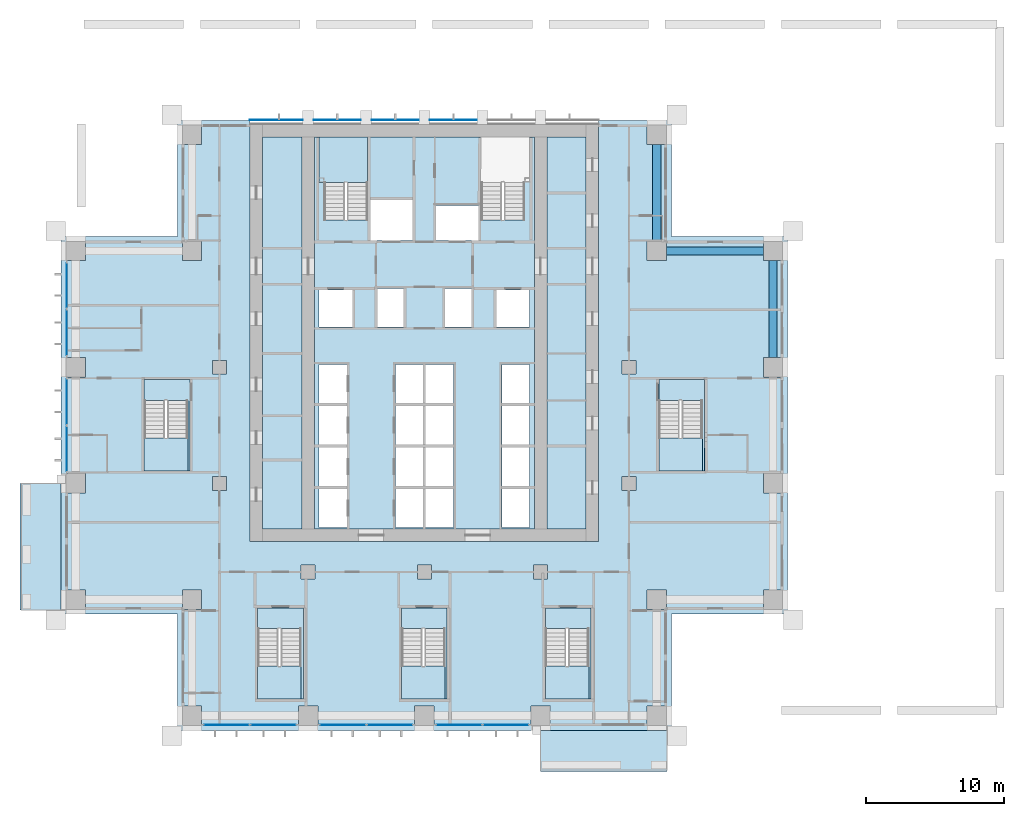
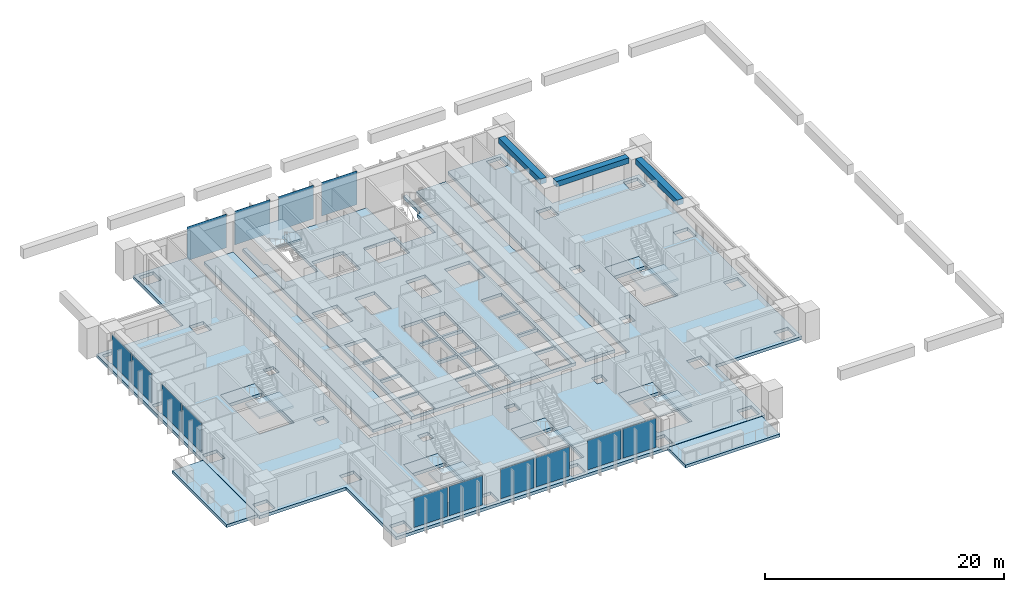
# One storey, part 6 of 18: 17 slabs, 14 plates, 3 beams, 11 elements without a shape of their own.
"""IFC4 building model written with IfcOpenShell, lengths in metres."""

from ifc_helpers import new_model, si_unit, direction, frame, origin, origin_2d, place, context, subcontext, project, spatial, polyline, rectangle, outline, extrude, material, layer, layer_set, material_profile, profile_set, type_object, element, aggregate, save


model = new_model("IFC4")

# Units and contexts
model_context = context("Model", 3, precision=1e-05, world=origin(), true_north=direction((0.0, 1.0)))
body_context = subcontext(model_context, "Body", "Model", "MODEL_VIEW")
ifc_project = project(units=[si_unit("LENGTHUNIT", "METRE"), si_unit("AREAUNIT", "SQUARE_METRE"), si_unit("VOLUMEUNIT", "CUBIC_METRE"), si_unit("PLANEANGLEUNIT", "RADIAN"), si_unit("MASSUNIT", "GRAM", prefix="KILO")], contexts=[model_context])

# Site, building, storey
site_placement = place(None, origin())
site = spatial("IfcSite", under=ifc_project, at=site_placement, CompositionType="ELEMENT")
building_placement = place(site_placement, origin())
building = spatial("IfcBuilding", under=site, at=building_placement, Name="Vermilion Ogive Tower", CompositionType="ELEMENT")
storey_placement = place(building_placement, frame((0.0, 0.0, 34.5)))
storey = spatial("IfcBuildingStorey", under=building, at=storey_placement, Name="L06", CompositionType="ELEMENT", Elevation=34.5)

# Beams
ifc_material_1 = material(Name="Concrete B45", Category="concrete")
ifc_material_profile = material_profile(ifc_material_1, rectangle(XDim=0.60009765625, YDim=0.550048828125, at=origin_2d()), Name="600 x 550")
ifc_profile_set = profile_set([ifc_material_profile], Name="Concrete B45")
beam_type = type_object("IfcBeamType", Name="Edge beam 600 x 550 B45", PredefinedType="BEAM", material=ifc_profile_set)
for number, where, z_axis, x_axis, name in (
    (1, (25.199951171875, 4.89990234375, 2.85498046875), (0.0, 1.0, 0.0), (-1.0, 0.0, 0.0), "L06-EB-9"),
    (2, (24.5, 12.60009765625, 2.85498046875), (-1.0, 0.0, 0.0), (0.0, -1.0, 0.0), "L06-EB-10"),
    (3, (16.800048828125, 13.300048828125, 2.85498046875), (0.0, 1.0, 0.0), (-1.0, 0.0, 0.0), "L06-EB-11"),
):
    element("IfcBeam", number, at=place(storey_placement, frame(where, z_axis=z_axis, x_axis=x_axis)), inside=storey, type_object=beam_type, Name=name, PredefinedType="BEAM", context=body_context, shape_type="SweptSolid", body=[
        extrude(rectangle(XDim=0.60009765625, YDim=0.550048828125, at=origin_2d()), origin(), (0.0, 0.0, 1.0), 7.0),
    ])

# Slabs
ifc_material_2 = material(Name="Concrete B40", Category="concrete")
ifc_layer_1 = layer(ifc_material_2, 0.300048828125)
ifc_layer_set_1 = layer_set([ifc_layer_1], Name="Balcony slab")
slab_type_1 = type_object("IfcSlabType", Name="Balcony slab", PredefinedType="FLOOR", material=ifc_layer_set_1)
slab_1_placement = place(storey_placement, frame((0.0, 0.0, -0.340087890625)))
element("IfcSlab", 4, at=slab_1_placement, inside=storey, type_object=slab_type_1, Name="Balcony slab S04", PredefinedType="FLOOR", context=body_context, shape_type="SweptSolid", body=[
    extrude(outline(polyline([(8.39990234375, -25.030029296875), (17.550048828125, -25.030029296875), (17.550048828125, -22.050048828125), (8.39990234375, -22.050048828125), (8.39990234375, -25.030029296875)])), origin(), (0.0, 0.0, 1.0), 0.300048828125),
])
slab_2_placement = place(storey_placement, frame((0.0, 0.0, -0.340087890625)))
element("IfcSlab", 5, at=slab_2_placement, inside=storey, type_object=slab_type_1, Name="Balcony slab W03", PredefinedType="FLOOR", context=body_context, shape_type="SweptSolid", body=[
    extrude(outline(polyline([(-29.22998046875, -4.199951171875), (-29.22998046875, -13.35009765625), (-26.25, -13.35009765625), (-26.25, -4.199951171875), (-29.22998046875, -4.199951171875)])), origin(), (0.0, 0.0, 1.0), 0.300048828125),
])

# Curtain wall, plates
ifc_material_3 = material(Name="Low-iron laminated glazing in aluminium frame", Category="aluminium")
curtain_wall_type = type_object("IfcCurtainWallType", Name="Curtain wall CW7", PredefinedType="NOTDEFINED", material=ifc_material_3)
curtain_wall_1_placement = place(storey_placement, origin())
curtain_wall_1 = element("IfcCurtainWall", 6, at=curtain_wall_1_placement, inside=storey, type_object=curtain_wall_type, Name="Glazed skin S1", PredefinedType="NOTDEFINED")
ifc_material_4 = material(Name="Low-iron laminated glazing in aluminium frame", Category="aluminium")
ifc_layer_2 = layer(ifc_material_4, 0.031982421875)
ifc_layer_set_2 = layer_set([ifc_layer_2], Name="CW7 glazing panel 32")
plate_type_1 = type_object("IfcPlateType", Name="CW7 glazing panel 32", PredefinedType="CURTAIN_PANEL", material=ifc_layer_set_2)
plate_1_placement = place(storey_placement, frame((-14.304931640625, -21.64990234375, 0.06005859375), z_axis=(0.0, 0.0, 1.0), x_axis=(1.0, 0.0, 0.0)))
plate_1 = element("IfcPlate", 7, at=plate_1_placement, type_object=plate_type_1, Name="CW7-S1 panel 1.1", PredefinedType="CURTAIN_PANEL", context=body_context, shape_type="SweptSolid", body=[
    extrude(rectangle(XDim=3.22998046875, YDim=0.031982421875, at=origin_2d()), origin(), (0.0, 0.0, 1.0), 3.010009765625),
])
plate_2_placement = place(storey_placement, frame((-10.89501953125, -21.64990234375, 0.06005859375), z_axis=(0.0, 0.0, 1.0), x_axis=(1.0, 0.0, 0.0)))
plate_2 = element("IfcPlate", 8, at=plate_2_placement, type_object=plate_type_1, Name="CW7-S1 panel 2.1", PredefinedType="CURTAIN_PANEL", context=body_context, shape_type="SweptSolid", body=[
    extrude(rectangle(XDim=3.22998046875, YDim=0.031982421875, at=origin_2d()), origin(), (0.0, 0.0, 1.0), 3.010009765625),
])
aggregate(curtain_wall_1, [plate_1, plate_2])

curtain_wall_2_placement = place(storey_placement, origin())
curtain_wall_2 = element("IfcCurtainWall", 9, at=curtain_wall_2_placement, inside=storey, type_object=curtain_wall_type, Name="Glazed skin S2", PredefinedType="NOTDEFINED")
plate_3_placement = place(storey_placement, frame((-5.905029296875, -21.64990234375, 0.06005859375), z_axis=(0.0, 0.0, 1.0), x_axis=(1.0, 0.0, 0.0)))
plate_3 = element("IfcPlate", 10, at=plate_3_placement, type_object=plate_type_1, Name="CW7-S2 panel 1.1", PredefinedType="CURTAIN_PANEL", context=body_context, shape_type="SweptSolid", body=[
    extrude(rectangle(XDim=3.22998046875, YDim=0.031982421875, at=origin_2d()), origin(), (0.0, 0.0, 1.0), 3.010009765625),
])
plate_4_placement = place(storey_placement, frame((-2.4951171875, -21.64990234375, 0.06005859375), z_axis=(0.0, 0.0, 1.0), x_axis=(1.0, 0.0, 0.0)))
plate_4 = element("IfcPlate", 11, at=plate_4_placement, type_object=plate_type_1, Name="CW7-S2 panel 2.1", PredefinedType="CURTAIN_PANEL", context=body_context, shape_type="SweptSolid", body=[
    extrude(rectangle(XDim=3.22998046875, YDim=0.031982421875, at=origin_2d()), origin(), (0.0, 0.0, 1.0), 3.010009765625),
])
aggregate(curtain_wall_2, [plate_3, plate_4])

curtain_wall_3_placement = place(storey_placement, origin())
curtain_wall_3 = element("IfcCurtainWall", 12, at=curtain_wall_3_placement, inside=storey, type_object=curtain_wall_type, Name="Glazed skin S3", PredefinedType="NOTDEFINED")
plate_5_placement = place(storey_placement, frame((2.4951171875, -21.64990234375, 0.06005859375), z_axis=(0.0, 0.0, 1.0), x_axis=(1.0, 0.0, 0.0)))
plate_5 = element("IfcPlate", 13, at=plate_5_placement, type_object=plate_type_1, Name="CW7-S3 panel 1.1", PredefinedType="CURTAIN_PANEL", context=body_context, shape_type="SweptSolid", body=[
    extrude(rectangle(XDim=3.22998046875, YDim=0.031982421875, at=origin_2d()), origin(), (0.0, 0.0, 1.0), 3.010009765625),
])
plate_6_placement = place(storey_placement, frame((5.905029296875, -21.64990234375, 0.06005859375), z_axis=(0.0, 0.0, 1.0), x_axis=(1.0, 0.0, 0.0)))
plate_6 = element("IfcPlate", 14, at=plate_6_placement, type_object=plate_type_1, Name="CW7-S3 panel 2.1", PredefinedType="CURTAIN_PANEL", context=body_context, shape_type="SweptSolid", body=[
    extrude(rectangle(XDim=3.22998046875, YDim=0.031982421875, at=origin_2d()), origin(), (0.0, 0.0, 1.0), 3.010009765625),
])
aggregate(curtain_wall_3, [plate_5, plate_6])

curtain_wall_4_placement = place(storey_placement, origin())
curtain_wall_4 = element("IfcCurtainWall", 15, at=curtain_wall_4_placement, inside=storey, type_object=curtain_wall_type, Name="Glazed skin W1", PredefinedType="NOTDEFINED")
plate_7_placement = place(storey_placement, frame((-25.85009765625, 10.10498046875, 0.06005859375), z_axis=(0.0, 0.0, 1.0), x_axis=(0.0, -1.0, 0.0)))
plate_7 = element("IfcPlate", 16, at=plate_7_placement, type_object=plate_type_1, Name="CW7-W1 panel 1.1", PredefinedType="CURTAIN_PANEL", context=body_context, shape_type="SweptSolid", body=[
    extrude(rectangle(XDim=3.22998046875, YDim=0.031982421875, at=origin_2d()), origin(), (0.0, 0.0, 1.0), 3.010009765625),
])
plate_8_placement = place(storey_placement, frame((-25.85009765625, 6.695068359375, 0.06005859375), z_axis=(0.0, 0.0, 1.0), x_axis=(0.0, -1.0, 0.0)))
plate_8 = element("IfcPlate", 17, at=plate_8_placement, type_object=plate_type_1, Name="CW7-W1 panel 2.1", PredefinedType="CURTAIN_PANEL", context=body_context, shape_type="SweptSolid", body=[
    extrude(rectangle(XDim=3.22998046875, YDim=0.031982421875, at=origin_2d()), origin(), (0.0, 0.0, 1.0), 3.010009765625),
])
aggregate(curtain_wall_4, [plate_7, plate_8])

curtain_wall_5_placement = place(storey_placement, origin())
curtain_wall_5 = element("IfcCurtainWall", 18, at=curtain_wall_5_placement, inside=storey, type_object=curtain_wall_type, Name="Glazed skin W2", PredefinedType="NOTDEFINED")
plate_9_placement = place(storey_placement, frame((-25.85009765625, 1.705078125, 0.06005859375), z_axis=(0.0, 0.0, 1.0), x_axis=(0.0, -1.0, 0.0)))
plate_9 = element("IfcPlate", 19, at=plate_9_placement, type_object=plate_type_1, Name="CW7-W2 panel 1.1", PredefinedType="CURTAIN_PANEL", context=body_context, shape_type="SweptSolid", body=[
    extrude(rectangle(XDim=3.22998046875, YDim=0.031982421875, at=origin_2d()), origin(), (0.0, 0.0, 1.0), 3.010009765625),
])
plate_10_placement = place(storey_placement, frame((-25.85009765625, -1.705078125, 0.06005859375), z_axis=(0.0, 0.0, 1.0), x_axis=(0.0, -1.0, 0.0)))
plate_10 = element("IfcPlate", 20, at=plate_10_placement, type_object=plate_type_1, Name="CW7-W2 panel 2.1", PredefinedType="CURTAIN_PANEL", context=body_context, shape_type="SweptSolid", body=[
    extrude(rectangle(XDim=3.22998046875, YDim=0.031982421875, at=origin_2d()), origin(), (0.0, 0.0, 1.0), 3.010009765625),
])
aggregate(curtain_wall_5, [plate_9, plate_10])

# Slabs
ifc_material_5 = material(Name="Concrete B40", Category="concrete")
ifc_layer_3 = layer(ifc_material_5, 0.320068359375)
ifc_layer_set_3 = layer_set([ifc_layer_3], Name="Core floor slab 320 B40")
slab_type_2 = type_object("IfcSlabType", Name="Core floor slab 320 B40", PredefinedType="FLOOR", material=ifc_layer_set_3)
slab_3_placement = place(storey_placement, frame((0.0, 0.0, -0.320068359375)))
element("IfcSlab", 21, at=slab_3_placement, inside=storey, type_object=slab_type_2, Name="L06-CK-FS1", PredefinedType="FLOOR", context=body_context, shape_type="SweptSolid", body=[
    extrude(outline(polyline([(-8.85400390625, -7.49609375), (-11.696044921875, -7.49609375), (-11.696044921875, 20.845947265625), (-8.85400390625, 20.845947265625), (-8.85400390625, -7.49609375)])), origin(), (0.0, 0.0, 1.0), 0.320068359375),
])
slab_4_placement = place(storey_placement, frame((0.0, 0.0, -0.320068359375)))
element("IfcSlab", 22, at=slab_4_placement, inside=storey, type_object=slab_type_2, Name="L06-CK-FS2", PredefinedType="FLOOR", context=body_context, shape_type="SweptSolid", body=[
    extrude(outline(polyline([(5.75, 14.85009765625), (5.60009765625, 14.85009765625), (5.60009765625, 14.85205078125), (4.10009765625, 14.85205078125), (4.10009765625, 17.929931640625), (4.074951171875, 17.929931640625), (4.074951171875, 20.845947265625), (-4.10009765625, 20.845947265625), (-4.10009765625, 14.85205078125), (-5.60009765625, 14.85205078125), (-5.60009765625, 14.85009765625), (-5.75, 14.85009765625), (-5.75, 14.85205078125), (-7.25, 14.85205078125), (-7.25, 17.929931640625), (-7.60009765625, 17.929931640625), (-7.60009765625, 20.845947265625), (-7.946044921875, 20.845947265625), (-7.946044921875, -7.49609375), (7.946044921875, -7.49609375), (7.946044921875, 20.845947265625), (7.60009765625, 20.845947265625), (7.60009765625, 17.929931640625), (7.25, 17.929931640625), (7.25, 14.85205078125), (5.75, 14.85205078125), (5.75, 14.85009765625)]), holes=[polyline([(-7.60009765625, -4.60009765625), (-5.60009765625, -4.60009765625), (-5.60009765625, -7.39990234375), (-7.60009765625, -7.39990234375), (-7.60009765625, -4.60009765625)]), polyline([(-2.10009765625, -4.60009765625), (-0.10009765625, -4.60009765625), (-0.10009765625, -7.39990234375), (-2.10009765625, -7.39990234375), (-2.10009765625, -4.60009765625)]), polyline([(-7.60009765625, -1.60009765625), (-5.60009765625, -1.60009765625), (-5.60009765625, -4.39990234375), (-7.60009765625, -4.39990234375), (-7.60009765625, -1.60009765625)]), polyline([(-2.10009765625, -1.60009765625), (-0.10009765625, -1.60009765625), (-0.10009765625, -4.39990234375), (-2.10009765625, -4.39990234375), (-2.10009765625, -1.60009765625)]), polyline([(-7.60009765625, -1.39990234375), (-7.60009765625, 1.39990234375), (-5.60009765625, 1.39990234375), (-5.60009765625, -1.39990234375), (-7.60009765625, -1.39990234375)]), polyline([(-2.10009765625, 1.39990234375), (-0.10009765625, 1.39990234375), (-0.10009765625, -1.39990234375), (-2.10009765625, -1.39990234375), (-2.10009765625, 1.39990234375)]), polyline([(-7.60009765625, 4.39990234375), (-5.60009765625, 4.39990234375), (-5.60009765625, 1.60009765625), (-7.60009765625, 1.60009765625), (-7.60009765625, 4.39990234375)]), polyline([(-2.10009765625, 4.39990234375), (-0.10009765625, 4.39990234375), (-0.10009765625, 1.60009765625), (-2.10009765625, 1.60009765625), (-2.10009765625, 4.39990234375)]), polyline([(-7.60009765625, 9.800048828125), (-5.199951171875, 9.800048828125), (-5.199951171875, 7.10009765625), (-7.60009765625, 7.10009765625), (-7.60009765625, 9.800048828125)]), polyline([(-3.39990234375, 9.89990234375), (-1.5, 9.89990234375), (-1.5, 7.10009765625), (-3.39990234375, 7.10009765625), (-3.39990234375, 9.89990234375)]), polyline([(-3.89990234375, 16.300048828125), (-0.85009765625, 16.300048828125), (-0.85009765625, 13.35009765625), (-3.89990234375, 13.35009765625), (-3.89990234375, 16.300048828125)]), polyline([(0.10009765625, -4.60009765625), (2.10009765625, -4.60009765625), (2.10009765625, -7.39990234375), (0.10009765625, -7.39990234375), (0.10009765625, -4.60009765625)]), polyline([(5.60009765625, -4.60009765625), (7.60009765625, -4.60009765625), (7.60009765625, -7.39990234375), (5.60009765625, -7.39990234375), (5.60009765625, -4.60009765625)]), polyline([(0.10009765625, -1.60009765625), (2.10009765625, -1.60009765625), (2.10009765625, -4.39990234375), (0.10009765625, -4.39990234375), (0.10009765625, -1.60009765625)]), polyline([(5.60009765625, -1.60009765625), (7.60009765625, -1.60009765625), (7.60009765625, -4.39990234375), (5.60009765625, -4.39990234375), (5.60009765625, -1.60009765625)]), polyline([(0.10009765625, 1.39990234375), (2.10009765625, 1.39990234375), (2.10009765625, -1.39990234375), (0.10009765625, -1.39990234375), (0.10009765625, 1.39990234375)]), polyline([(5.60009765625, 1.39990234375), (7.60009765625, 1.39990234375), (7.60009765625, -1.39990234375), (5.60009765625, -1.39990234375), (5.60009765625, 1.39990234375)]), polyline([(0.10009765625, 4.39990234375), (2.10009765625, 4.39990234375), (2.10009765625, 1.60009765625), (0.10009765625, 1.60009765625), (0.10009765625, 4.39990234375)]), polyline([(5.60009765625, 4.39990234375), (7.60009765625, 4.39990234375), (7.60009765625, 1.60009765625), (5.60009765625, 1.60009765625), (5.60009765625, 4.39990234375)]), polyline([(5.199951171875, 9.800048828125), (7.60009765625, 9.800048828125), (7.60009765625, 7.10009765625), (5.199951171875, 7.10009765625), (5.199951171875, 9.800048828125)]), polyline([(1.5, 9.89990234375), (3.39990234375, 9.89990234375), (3.39990234375, 7.10009765625), (1.5, 7.10009765625), (1.5, 9.89990234375)]), polyline([(0.85009765625, 15.89990234375), (3.89990234375, 15.89990234375), (3.89990234375, 13.35009765625), (0.85009765625, 13.35009765625), (0.85009765625, 15.89990234375)])]), origin(), (0.0, 0.0, 1.0), 0.320068359375),
])
slab_5_placement = place(storey_placement, frame((0.0, 0.0, -0.320068359375)))
element("IfcSlab", 23, at=slab_5_placement, inside=storey, type_object=slab_type_2, Name="L06-CK-FS3", PredefinedType="FLOOR", context=body_context, shape_type="SweptSolid", body=[
    extrude(outline(polyline([(8.85400390625, 20.845947265625), (11.696044921875, 20.845947265625), (11.696044921875, -7.49609375), (8.85400390625, -7.49609375), (8.85400390625, 20.845947265625)])), origin(), (0.0, 0.0, 1.0), 0.320068359375),
])
slab_6_placement = place(storey_placement, frame((0.0, 0.0, -0.320068359375)))
element("IfcSlab", 24, at=slab_6_placement, inside=storey, type_object=slab_type_2, Name="L06-SF-ST3-1", PredefinedType="FLOOR", context=body_context, shape_type="SweptSolid", body=[
    extrude(outline(polyline([(-12.050048828125, -13.199951171875), (-12.050048828125, -14.701904296875), (-10.550048828125, -14.701904296875), (-10.550048828125, -14.699951171875), (-10.39990234375, -14.699951171875), (-10.39990234375, -14.701904296875), (-8.89990234375, -14.701904296875), (-8.89990234375, -19.800048828125), (-8.75, -19.800048828125), (-8.75, -13.199951171875), (-12.050048828125, -13.199951171875)])), origin(), (0.0, 0.0, 1.0), 0.320068359375),
])
slab_7_placement = place(storey_placement, frame((0.0, 0.0, -0.320068359375)))
element("IfcSlab", 25, at=slab_7_placement, inside=storey, type_object=slab_type_2, Name="L06-SF-ST4-1", PredefinedType="FLOOR", context=body_context, shape_type="SweptSolid", body=[
    extrude(outline(polyline([(-1.64990234375, -13.199951171875), (-1.64990234375, -14.701904296875), (-0.14990234375, -14.701904296875), (-0.14990234375, -14.699951171875), (0.0, -14.699951171875), (0.0, -14.701904296875), (1.5, -14.701904296875), (1.5, -19.800048828125), (1.64990234375, -19.800048828125), (1.64990234375, -13.199951171875), (-1.64990234375, -13.199951171875)])), origin(), (0.0, 0.0, 1.0), 0.320068359375),
])
slab_8_placement = place(storey_placement, frame((0.0, 0.0, -0.320068359375)))
element("IfcSlab", 26, at=slab_8_placement, inside=storey, type_object=slab_type_2, Name="L06-SF-ST5-1", PredefinedType="FLOOR", context=body_context, shape_type="SweptSolid", body=[
    extrude(outline(polyline([(8.75, -13.199951171875), (8.75, -14.701904296875), (10.25, -14.701904296875), (10.25, -14.699951171875), (10.39990234375, -14.699951171875), (10.39990234375, -14.701904296875), (11.89990234375, -14.701904296875), (11.89990234375, -19.800048828125), (12.050048828125, -19.800048828125), (12.050048828125, -13.199951171875), (8.75, -13.199951171875)])), origin(), (0.0, 0.0, 1.0), 0.320068359375),
])
slab_9_placement = place(storey_placement, frame((0.0, 0.0, -0.320068359375)))
element("IfcSlab", 27, at=slab_9_placement, inside=storey, type_object=slab_type_2, Name="L06-SF-ST8-1", PredefinedType="FLOOR", context=body_context, shape_type="SweptSolid", body=[
    extrude(outline(polyline([(16.949951171875, 3.300048828125), (16.949951171875, 1.798095703125), (18.449951171875, 1.798095703125), (18.449951171875, 1.800048828125), (18.60009765625, 1.800048828125), (18.60009765625, 1.798095703125), (20.10009765625, 1.798095703125), (20.10009765625, -3.300048828125), (20.25, -3.300048828125), (20.25, 3.300048828125), (16.949951171875, 3.300048828125)])), origin(), (0.0, 0.0, 1.0), 0.320068359375),
])
slab_10_placement = place(storey_placement, frame((0.0, 0.0, -0.320068359375)))
element("IfcSlab", 28, at=slab_10_placement, inside=storey, type_object=slab_type_2, Name="L06-SF-ST9-1", PredefinedType="FLOOR", context=body_context, shape_type="SweptSolid", body=[
    extrude(outline(polyline([(-20.25, 3.300048828125), (-20.25, 1.798095703125), (-18.75, 1.798095703125), (-18.75, 1.800048828125), (-18.60009765625, 1.800048828125), (-18.60009765625, 1.798095703125), (-17.10009765625, 1.798095703125), (-17.10009765625, -3.300048828125), (-16.949951171875, -3.300048828125), (-16.949951171875, 3.300048828125), (-20.25, 3.300048828125)])), origin(), (0.0, 0.0, 1.0), 0.320068359375),
])

# Plates
ifc_material_6 = material(Name="Low-iron laminated glazing in aluminium frame", Category="aluminium")
ifc_layer_4 = layer(ifc_material_6, 0.031982421875)
ifc_layer_set_4 = layer_set([ifc_layer_4], Name="Glazed rainscreen sheet 32")
plate_type_2 = type_object("IfcPlateType", Name="Glazed rainscreen sheet 32", PredefinedType="SHEET", material=ifc_layer_set_4)
plate_11_placement = place(storey_placement, frame((-10.7099609375, 22.06591796875, -0.31982421875), z_axis=(0.0, 0.0, 1.0), x_axis=(1.0, 0.0, 0.0)))
element("IfcPlate", 29, at=plate_11_placement, inside=storey, type_object=plate_type_2, Name="Glazed rainscreen sheet N1", PredefinedType="SHEET", context=body_context, shape_type="SweptSolid", body=[
    extrude(rectangle(XDim=3.820068359375, YDim=0.031982421875, at=origin_2d()), origin(), (0.0, 0.0, 1.0), 3.449951171875),
])
for number, where, z_axis, x_axis, name in (
    (30, (-6.300048828125, 22.06591796875, -0.31982421875), (0.0, 0.0, 1.0), (1.0, 0.0, 0.0), "Glazed rainscreen sheet N2"),
    (31, (-2.10009765625, 22.06591796875, -0.31982421875), (0.0, 0.0, 1.0), (1.0, 0.0, 0.0), "Glazed rainscreen sheet N3"),
    (32, (2.10009765625, 22.06591796875, -0.31982421875), (0.0, 0.0, 1.0), (1.0, 0.0, 0.0), "Glazed rainscreen sheet N4"),
):
    element("IfcPlate", number, at=place(storey_placement, frame(where, z_axis=z_axis, x_axis=x_axis)), inside=storey, type_object=plate_type_2, Name=name, PredefinedType="SHEET", context=body_context, shape_type="SweptSolid", body=[
        extrude(rectangle(XDim=3.39990234375, YDim=0.031982421875, at=origin_2d()), origin(), (0.0, 0.0, 1.0), 3.449951171875),
    ])

# Slab
ifc_material_7 = material(Name="Concrete B45", Category="concrete")
ifc_layer_5 = layer(ifc_material_7, 0.320068359375)
ifc_layer_set_5 = layer_set([ifc_layer_5], Name="Post-tensioned flat plate 320 B45")
slab_type_3 = type_object("IfcSlabType", Name="Post-tensioned flat plate 320 B45", PredefinedType="FLOOR", material=ifc_layer_set_5)
slab_11_placement = place(storey_placement, frame((0.0, 0.0, -0.320068359375)))
element("IfcSlab", 33, at=slab_11_placement, inside=storey, type_object=slab_type_3, Name="L06-SL-1", PredefinedType="FLOOR", context=body_context, shape_type="SweptSolid", body=[
    extrude(outline(polyline([(-26.25, -13.64990234375), (-17.85009765625, -13.64990234375), (-17.85009765625, -22.050048828125), (17.85009765625, -22.050048828125), (17.85009765625, -13.64990234375), (26.25, -13.64990234375), (26.25, 13.64990234375), (17.85009765625, 13.64990234375), (17.85009765625, 22.050048828125), (12.60009765625, 22.050048828125), (12.60009765625, -8.39990234375), (-12.60009765625, -8.39990234375), (-12.60009765625, 22.050048828125), (-17.85009765625, 22.050048828125), (-17.85009765625, 13.64990234375), (-26.25, 13.64990234375), (-26.25, -13.64990234375)]), holes=[polyline([(25.89990234375, -3.5), (25.89990234375, -4.89990234375), (24.5, -4.89990234375), (24.5, -3.5), (25.89990234375, -3.5)]), polyline([(25.89990234375, -11.89990234375), (25.89990234375, -13.300048828125), (24.5, -13.300048828125), (24.5, -11.89990234375), (25.89990234375, -11.89990234375)]), polyline([(25.89990234375, 11.89990234375), (24.5, 11.89990234375), (24.5, 13.300048828125), (25.89990234375, 13.300048828125), (25.89990234375, 11.89990234375)]), polyline([(25.89990234375, 3.5), (24.5, 3.5), (24.5, 4.89990234375), (25.89990234375, 4.89990234375), (25.89990234375, 3.5)]), polyline([(20.25, 3.300048828125), (20.25, -3.300048828125), (16.949951171875, -3.300048828125), (16.949951171875, 3.300048828125), (20.25, 3.300048828125)]), polyline([(17.5, -11.89990234375), (17.5, -13.300048828125), (16.10009765625, -13.300048828125), (16.10009765625, -11.89990234375), (17.5, -11.89990234375)]), polyline([(17.5, 20.300048828125), (16.10009765625, 20.300048828125), (16.10009765625, 21.699951171875), (17.5, 21.699951171875), (17.5, 20.300048828125)]), polyline([(17.5, -20.300048828125), (17.5, -21.699951171875), (16.10009765625, -21.699951171875), (16.10009765625, -20.300048828125), (17.5, -20.300048828125)]), polyline([(17.5, 13.300048828125), (17.5, 11.89990234375), (16.10009765625, 11.89990234375), (16.10009765625, 13.300048828125), (17.5, 13.300048828125)]), polyline([(15.300048828125, 4.699951171875), (15.300048828125, 3.699951171875), (14.300048828125, 3.699951171875), (14.300048828125, 4.699951171875), (15.300048828125, 4.699951171875)]), polyline([(15.300048828125, -4.699951171875), (14.300048828125, -4.699951171875), (14.300048828125, -3.699951171875), (15.300048828125, -3.699951171875), (15.300048828125, -4.699951171875)]), polyline([(12.050048828125, -13.199951171875), (12.050048828125, -19.800048828125), (8.75, -19.800048828125), (8.75, -13.199951171875), (12.050048828125, -13.199951171875)]), polyline([(9.10009765625, -20.300048828125), (9.10009765625, -21.699951171875), (7.699951171875, -21.699951171875), (7.699951171875, -20.300048828125), (9.10009765625, -20.300048828125)]), polyline([(8.89990234375, -11.10009765625), (7.89990234375, -11.10009765625), (7.89990234375, -10.10009765625), (8.89990234375, -10.10009765625), (8.89990234375, -11.10009765625)]), polyline([(1.64990234375, -13.199951171875), (1.64990234375, -19.800048828125), (-1.64990234375, -19.800048828125), (-1.64990234375, -13.199951171875), (1.64990234375, -13.199951171875)]), polyline([(0.699951171875, -20.300048828125), (0.699951171875, -21.699951171875), (-0.699951171875, -21.699951171875), (-0.699951171875, -20.300048828125), (0.699951171875, -20.300048828125)]), polyline([(0.5, -10.10009765625), (0.5, -11.10009765625), (-0.5, -11.10009765625), (-0.5, -10.10009765625), (0.5, -10.10009765625)]), polyline([(-7.699951171875, -20.300048828125), (-7.699951171875, -21.699951171875), (-9.10009765625, -21.699951171875), (-9.10009765625, -20.300048828125), (-7.699951171875, -20.300048828125)]), polyline([(-7.89990234375, -10.10009765625), (-7.89990234375, -11.10009765625), (-8.89990234375, -11.10009765625), (-8.89990234375, -10.10009765625), (-7.89990234375, -10.10009765625)]), polyline([(-8.75, -13.199951171875), (-8.75, -19.800048828125), (-12.050048828125, -19.800048828125), (-12.050048828125, -13.199951171875), (-8.75, -13.199951171875)]), polyline([(-14.300048828125, 4.699951171875), (-14.300048828125, 3.699951171875), (-15.300048828125, 3.699951171875), (-15.300048828125, 4.699951171875), (-14.300048828125, 4.699951171875)]), polyline([(-14.300048828125, -4.699951171875), (-15.300048828125, -4.699951171875), (-15.300048828125, -3.699951171875), (-14.300048828125, -3.699951171875), (-14.300048828125, -4.699951171875)]), polyline([(-16.10009765625, 13.300048828125), (-16.10009765625, 11.89990234375), (-17.5, 11.89990234375), (-17.5, 13.300048828125), (-16.10009765625, 13.300048828125)]), polyline([(-16.10009765625, -11.89990234375), (-16.10009765625, -13.300048828125), (-17.5, -13.300048828125), (-17.5, -11.89990234375), (-16.10009765625, -11.89990234375)]), polyline([(-16.10009765625, -20.300048828125), (-16.10009765625, -21.699951171875), (-17.5, -21.699951171875), (-17.5, -20.300048828125), (-16.10009765625, -20.300048828125)]), polyline([(-16.10009765625, 20.300048828125), (-17.5, 20.300048828125), (-17.5, 21.699951171875), (-16.10009765625, 21.699951171875), (-16.10009765625, 20.300048828125)]), polyline([(-16.949951171875, 3.300048828125), (-16.949951171875, -1.280029296875), (-16.875, -1.280029296875), (-16.875, -3.300048828125), (-20.25, -3.300048828125), (-20.25, 3.300048828125), (-16.949951171875, 3.300048828125)]), polyline([(-24.5, 3.5), (-25.89990234375, 3.5), (-25.89990234375, 4.89990234375), (-24.5, 4.89990234375), (-24.5, 3.5)]), polyline([(-24.5, 13.300048828125), (-24.5, 11.89990234375), (-25.89990234375, 11.89990234375), (-25.89990234375, 13.300048828125), (-24.5, 13.300048828125)]), polyline([(-24.5, -3.5), (-24.5, -4.89990234375), (-25.89990234375, -4.89990234375), (-25.89990234375, -3.5), (-24.5, -3.5)]), polyline([(-24.5, -11.89990234375), (-24.5, -13.300048828125), (-25.89990234375, -13.300048828125), (-25.89990234375, -11.89990234375), (-24.5, -11.89990234375)])]), origin(), (0.0, 0.0, 1.0), 0.320068359375),
])

# Stair, slab
ifc_material_8 = material(Name="Concrete B40", Category="concrete")
stair_type = type_object("IfcStairType", Name="Exit stair 1500", PredefinedType="HALF_TURN_STAIR", material=ifc_material_8)
stair_1_placement = place(storey_placement, origin())
stair_1 = element("IfcStair", 34, at=stair_1_placement, inside=storey, type_object=stair_type, Name="L06 Exit Stair ST1", PredefinedType="HALF_TURN_STAIR")
ifc_material_9 = material(Name="Concrete B40", Category="concrete")
ifc_layer_6 = layer(ifc_material_9, 0.199951171875)
ifc_layer_set_6 = layer_set([ifc_layer_6], Name="Stair landing 200")
slab_type_4 = type_object("IfcSlabType", Name="Stair landing 200", PredefinedType="LANDING", material=ifc_layer_set_6)
slab_12_placement = place(storey_placement, frame((0.0, 0.0, 1.52490234375)))
slab_12 = element("IfcSlab", 35, at=slab_12_placement, type_object=slab_type_4, Name="ST1 landing 1", PredefinedType="LANDING", context=body_context, shape_type="SweptSolid", body=[
    extrude(outline(polyline([(-7.60009765625, 17.550048828125), (-7.25, 17.550048828125), (-7.25, 17.548095703125), (-5.75, 17.548095703125), (-5.75, 17.550048828125), (-5.60009765625, 17.550048828125), (-5.60009765625, 17.548095703125), (-4.10009765625, 17.548095703125), (-4.10009765625, 20.85009765625), (-7.60009765625, 20.85009765625), (-7.60009765625, 17.550048828125)])), origin(), (0.0, 0.0, 1.0), 0.2001953125),
])
aggregate(stair_1, [slab_12])

stair_2_placement = place(storey_placement, origin())
stair_2 = element("IfcStair", 36, at=stair_2_placement, inside=storey, type_object=stair_type, Name="L06 Exit Stair ST3", PredefinedType="HALF_TURN_STAIR")
slab_13_placement = place(storey_placement, frame((0.0, 0.0, 1.52490234375)))
slab_13 = element("IfcSlab", 37, at=slab_13_placement, type_object=slab_type_4, Name="ST3 landing 1", PredefinedType="LANDING", context=body_context, shape_type="SweptSolid", body=[
    extrude(outline(polyline([(-8.75, -17.39990234375), (-8.89990234375, -17.39990234375), (-8.89990234375, -17.39794921875), (-10.39990234375, -17.39794921875), (-10.39990234375, -17.39990234375), (-10.550048828125, -17.39990234375), (-10.550048828125, -17.39794921875), (-12.050048828125, -17.39794921875), (-12.050048828125, -17.402099609375), (-12.0498046875, -17.402099609375), (-12.0498046875, -19.7998046875), (-8.75, -19.7998046875), (-8.75, -17.39990234375)])), origin(), (0.0, 0.0, 1.0), 0.2001953125),
])
aggregate(stair_2, [slab_13])

stair_3_placement = place(storey_placement, origin())
stair_3 = element("IfcStair", 38, at=stair_3_placement, inside=storey, type_object=stair_type, Name="L06 Exit Stair ST4", PredefinedType="HALF_TURN_STAIR")
slab_14_placement = place(storey_placement, frame((0.0, 0.0, 1.52490234375)))
slab_14 = element("IfcSlab", 39, at=slab_14_placement, type_object=slab_type_4, Name="ST4 landing 1", PredefinedType="LANDING", context=body_context, shape_type="SweptSolid", body=[
    extrude(outline(polyline([(1.64990234375, -17.39990234375), (1.5, -17.39990234375), (1.5, -17.39794921875), (0.0, -17.39794921875), (0.0, -17.39990234375), (-0.14990234375, -17.39990234375), (-0.14990234375, -17.39794921875), (-1.64990234375, -17.39794921875), (-1.64990234375, -19.7998046875), (1.64990234375, -19.7998046875), (1.64990234375, -17.39990234375)])), origin(), (0.0, 0.0, 1.0), 0.2001953125),
])
aggregate(stair_3, [slab_14])

stair_4_placement = place(storey_placement, origin())
stair_4 = element("IfcStair", 40, at=stair_4_placement, inside=storey, type_object=stair_type, Name="L06 Exit Stair ST5", PredefinedType="HALF_TURN_STAIR")
slab_15_placement = place(storey_placement, frame((0.0, 0.0, 1.52490234375)))
slab_15 = element("IfcSlab", 41, at=slab_15_placement, type_object=slab_type_4, Name="ST5 landing 1", PredefinedType="LANDING", context=body_context, shape_type="SweptSolid", body=[
    extrude(outline(polyline([(12.0498046875, -17.39990234375), (11.89990234375, -17.39990234375), (11.89990234375, -17.39794921875), (10.39990234375, -17.39794921875), (10.39990234375, -17.39990234375), (10.25, -17.39990234375), (10.25, -17.39794921875), (8.75, -17.39794921875), (8.75, -17.39990234375), (8.75, -17.39990234375), (8.75, -19.7998046875), (12.0498046875, -19.7998046875), (12.0498046875, -17.39990234375)])), origin(), (0.0, 0.0, 1.0), 0.2001953125),
])
aggregate(stair_4, [slab_15])

stair_5_placement = place(storey_placement, origin())
stair_5 = element("IfcStair", 42, at=stair_5_placement, inside=storey, type_object=stair_type, Name="L06 Exit Stair ST8", PredefinedType="HALF_TURN_STAIR")
slab_16_placement = place(storey_placement, frame((0.0, 0.0, 1.52490234375)))
slab_16 = element("IfcSlab", 43, at=slab_16_placement, type_object=slab_type_4, Name="ST8 landing 1", PredefinedType="LANDING", context=body_context, shape_type="SweptSolid", body=[
    extrude(outline(polyline([(20.275146484375, -0.89990234375), (20.10009765625, -0.89990234375), (20.10009765625, -0.89794921875), (18.60009765625, -0.89794921875), (18.60009765625, -0.89990234375), (18.449951171875, -0.89990234375), (18.449951171875, -0.89794921875), (16.949951171875, -0.89794921875), (16.949951171875, -0.902099609375), (16.9501953125, -0.902099609375), (16.9501953125, -3.2998046875), (20.275146484375, -3.2998046875), (20.275146484375, -0.89990234375)])), origin(), (0.0, 0.0, 1.0), 0.2001953125),
])
aggregate(stair_5, [slab_16])

stair_6_placement = place(storey_placement, origin())
stair_6 = element("IfcStair", 44, at=stair_6_placement, inside=storey, type_object=stair_type, Name="L06 Exit Stair ST9", PredefinedType="HALF_TURN_STAIR")
slab_17_placement = place(storey_placement, frame((0.0, 0.0, 1.52490234375)))
slab_17 = element("IfcSlab", 45, at=slab_17_placement, type_object=slab_type_4, Name="ST9 landing 1", PredefinedType="LANDING", context=body_context, shape_type="SweptSolid", body=[
    extrude(outline(polyline([(-16.9501953125, -0.89990234375), (-17.10009765625, -0.89990234375), (-17.10009765625, -0.89794921875), (-18.60009765625, -0.89794921875), (-18.60009765625, -0.89990234375), (-18.75, -0.89990234375), (-18.75, -0.89794921875), (-20.25, -0.89794921875), (-20.25, -0.89990234375), (-20.25, -0.89990234375), (-20.25, -3.2998046875), (-16.9501953125, -3.2998046875), (-16.9501953125, -0.89990234375)])), origin(), (0.0, 0.0, 1.0), 0.2001953125),
])
aggregate(stair_6, [slab_17])

save(model, "model.ifc")
